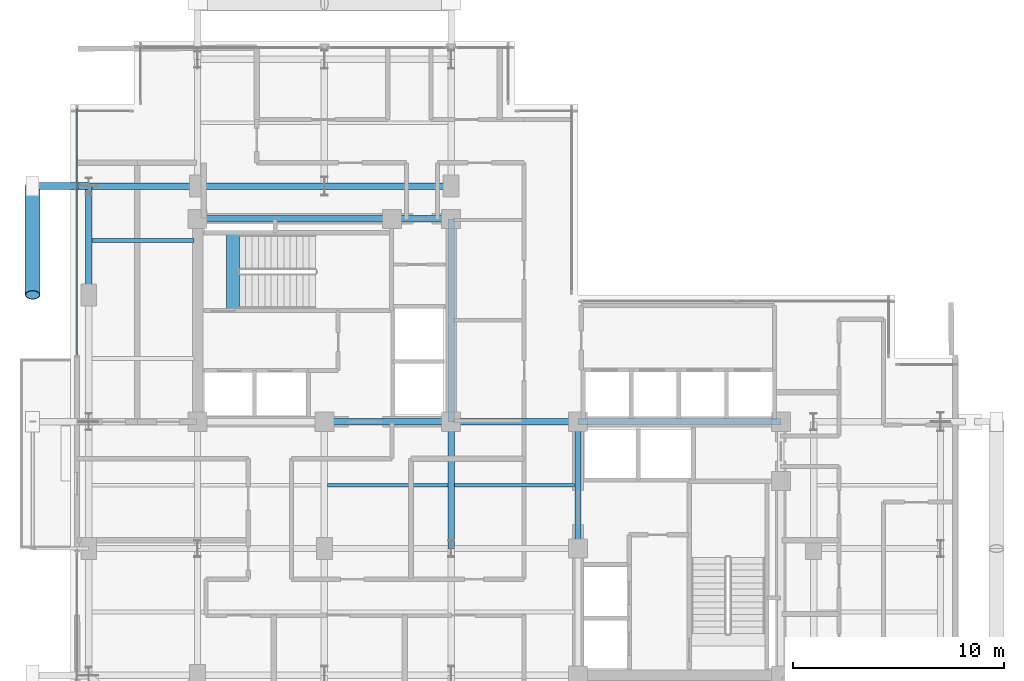
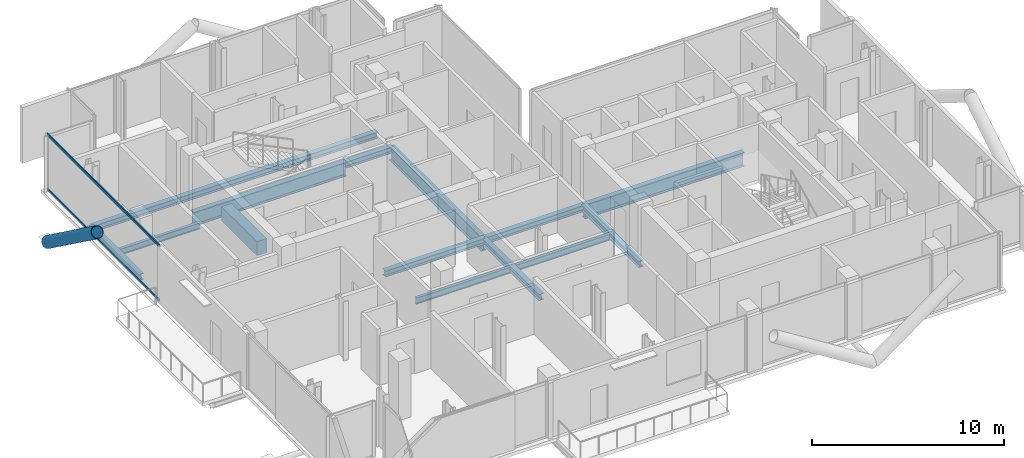
# One storey, part 8 of 21: 16 beams, 4 members, 1 element without a shape of its own.
"""IFC4 building model written with IfcOpenShell, lengths in metres."""

from ifc_helpers import new_model, si_unit, direction, frame, origin, origin_2d, place, context, subcontext, project, spatial, rectangle, hollow_rectangle, hollow_circle, i_section, extrude, material, layer, layer_set, material_profile, profile_set, type_object, element, aggregate, save


model = new_model("IFC4")

# Units and contexts
model_context = context("Model", 3, precision=1e-05, world=origin(), true_north=direction((0.0, 1.0)))
body_context = subcontext(model_context, "Body", "Model", "MODEL_VIEW")
ifc_project = project(units=[si_unit("LENGTHUNIT", "METRE"), si_unit("AREAUNIT", "SQUARE_METRE"), si_unit("VOLUMEUNIT", "CUBIC_METRE"), si_unit("PLANEANGLEUNIT", "RADIAN"), si_unit("MASSUNIT", "GRAM", prefix="KILO"), si_unit("THERMODYNAMICTEMPERATUREUNIT", "KELVIN"), si_unit("POWERUNIT", "WATT")], contexts=[model_context])

# Site, building, storey
site_placement = place(None, origin())
site = spatial("IfcSite", under=ifc_project, at=site_placement, CompositionType="ELEMENT")
building_placement = place(site_placement, origin())
building = spatial("IfcBuilding", under=site, at=building_placement, Name="Svarakhadi Broadcast Tower", CompositionType="ELEMENT")
storey_placement = place(building_placement, frame((0.0, 0.0, 187.949951171875)))
storey = spatial("IfcBuildingStorey", under=building, at=storey_placement, Name="L46", CompositionType="ELEMENT", Elevation=187.949951171875)

# Beams
ifc_material_1 = material(Name="Steel S355J2 (IS 2062 E350C)", Category="steel")
ifc_material_profile_1 = material_profile(ifc_material_1, i_section(OverallWidth=0.179931640625, OverallDepth=0.39990234375, WebThickness=0.008544921875, FlangeThickness=0.013427734375, FilletRadius=0.02099609375, at=origin_2d()), Name="NPB 400x180x66")
ifc_profile_set_1 = profile_set([ifc_material_profile_1], Name="Steel S355J2 (IS 2062 E350C)")
beam_type_1 = type_object("IfcBeamType", Name="Beam_NPB400", PredefinedType="BEAM", material=ifc_profile_set_1)
beam_1_placement = place(storey_placement, frame((1.010009765625, 26.574951171875, -0.409912109375), z_axis=(1.0, 0.0, 0.0), x_axis=(0.0, 1.0, 0.0)))
element("IfcBeam", 1, at=beam_1_placement, inside=storey, type_object=beam_type_1, Name="L46 Secondary Composite Beam SB004", PredefinedType="BEAM", context=body_context, shape_type="SweptSolid", body=[
    extrude(i_section(OverallWidth=0.179931640625, OverallDepth=0.39990234375, WebThickness=0.008544921875, FlangeThickness=0.013427734375, FilletRadius=0.02099609375, at=origin_2d()), origin(), (0.0, 0.0, 1.0), 4.830078125),
])
for number, where, z_axis, x_axis, name in (
    (2, (12.159912109375, 15.0, -0.409912109375), (1.0, 0.0, 0.0), (0.0, 1.0, 0.0), "L46 Secondary Composite Beam SB011"),
    (3, (18.159912109375, 15.0, -0.409912109375), (1.0, 0.0, 0.0), (0.0, 1.0, 0.0), "L46 Secondary Composite Beam SB015"),
):
    element("IfcBeam", number, at=place(storey_placement, frame(where, z_axis=z_axis, x_axis=x_axis)), inside=storey, type_object=beam_type_1, Name=name, PredefinedType="BEAM", context=body_context, shape_type="SweptSolid", body=[
        extrude(i_section(OverallWidth=0.179931640625, OverallDepth=0.39990234375, WebThickness=0.008544921875, FlangeThickness=0.013427734375, FilletRadius=0.02099609375, at=origin_2d()), origin(), (0.0, 0.0, 1.0), 5.68017578125),
    ])

# Curtain wall, members
ifc_material_2 = material(Name="Anodised Bronze Aluminium AA 6063-T6", Category="aluminium")
ifc_layer = layer(ifc_material_2, 0.18994140625)
ifc_layer_set = layer_set([ifc_layer], Name="Anodised Bronze Aluminium AA 6063-T6")
curtain_wall_type = type_object("IfcCurtainWallType", Name="CW_Sys_04", PredefinedType="NOTDEFINED", material=ifc_layer_set)
curtain_wall_placement = place(storey_placement, origin())
curtain_wall = element("IfcCurtainWall", 4, at=curtain_wall_placement, inside=storey, type_object=curtain_wall_type, Name="L46 West Curtain Wall 03", PredefinedType="NOTDEFINED")
ifc_material_profile_2 = material_profile(ifc_material_2, hollow_rectangle(XDim=0.06494140625, YDim=0.175048828125, WallThickness=0.0048828125, at=origin_2d()), Name="ALU TRANSOM 175x65x5")
ifc_profile_set_2 = profile_set([ifc_material_profile_2], Name="Anodised Bronze Aluminium AA 6063-T6")
member_type_1 = type_object("IfcMemberType", Name="CW_Sys_04_Trn", PredefinedType="USERDEFINED", material=ifc_profile_set_2)
member_1_placement = place(storey_placement, frame((0.300048828125, 21.159912109375, 0.032470703125), z_axis=(0.0, 1.0, 0.0), x_axis=(-1.0, 0.0, 0.0)))
member_1 = element("IfcMember", 5, at=member_1_placement, type_object=member_type_1, Name="CW-04 transom 1.1", ObjectType="TRANSOM", PredefinedType="USERDEFINED", context=body_context, shape_type="SweptSolid", body=[
    extrude(hollow_rectangle(XDim=0.06494140625, YDim=0.175048828125, WallThickness=0.0048828125, at=origin_2d()), origin(), (0.0, 0.0, 1.0), 11.68017578125),
])
member_2_placement = place(storey_placement, frame((0.300048828125, 21.159912109375, 3.507568359375), z_axis=(0.0, 1.0, 0.0), x_axis=(-1.0, 0.0, 0.0)))
member_2 = element("IfcMember", 6, at=member_2_placement, type_object=member_type_1, Name="CW-04 transom 1.2", ObjectType="TRANSOM", PredefinedType="USERDEFINED", context=body_context, shape_type="SweptSolid", body=[
    extrude(hollow_rectangle(XDim=0.06494140625, YDim=0.175048828125, WallThickness=0.0048828125, at=origin_2d()), origin(), (0.0, 0.0, 1.0), 11.68017578125),
])
aggregate(curtain_wall, [member_1, member_2])

# Beam
ifc_material_3 = material(Name="Concrete C50/60 (IS 456 M60)", Category="concrete")
ifc_material_profile_3 = material_profile(ifc_material_3, rectangle(XDim=0.60009765625, YDim=0.89990234375, at=origin_2d()), Name="RC 600x900")
ifc_profile_set_3 = profile_set([ifc_material_profile_3], Name="Concrete C50/60 (IS 456 M60)")
beam_type_2 = type_object("IfcBeamType", Name="Coupling_RC600", PredefinedType="USERDEFINED", material=ifc_profile_set_3)
beam_2_placement = place(storey_placement, frame((7.679931640625, 23.260009765625, -0.449951171875), z_axis=(0.0, 1.0, 0.0), x_axis=(-1.0, 0.0, 0.0)))
element("IfcBeam", 7, at=beam_2_placement, inside=storey, type_object=beam_type_2, Name="L46 Stair ST-01 Landing Throat Trimmer Beam CB-01", ObjectType="GIRDER", PredefinedType="USERDEFINED", context=body_context, shape_type="SweptSolid", body=[
    extrude(rectangle(XDim=0.60009765625, YDim=0.89990234375, at=origin_2d()), origin(), (0.0, 0.0, 1.0), 3.679931640625),
])

# Members
ifc_material_4 = material(Name="Steel S460ML (IS 2062 E450BR)", Category="steel")
ifc_material_profile_4 = material_profile(ifc_material_4, hollow_circle(Radius=0.35546875, WallThickness=0.034912109375, at=origin_2d()), Name="CHS 711x35")
ifc_profile_set_4 = profile_set([ifc_material_profile_4], Name="Steel S460ML (IS 2062 E450BR)")
member_type_2 = type_object("IfcMemberType", Name="Exo_Brace_CHS711", PredefinedType="BRACE", material=ifc_profile_set_4)
member_3_placement = place(storey_placement, frame((-1.800048828125, 29.14990234375, -0.371826171875), z_axis=(0.0, -0.808391243061, 0.588645562407), x_axis=(1.0, 0.0, 0.0)))
element("IfcMember", 8, at=member_3_placement, inside=storey, type_object=member_type_2, Name="L46 Exposed Bronze Exoskeleton Diagonal W03", PredefinedType="BRACE", context=body_context, shape_type="SweptSolid", body=[
    extrude(hollow_circle(Radius=0.35546875, WallThickness=0.034912109375, at=origin_2d()), origin(), (0.0, 0.0, 1.0), 6.37060546875),
])
ifc_material_profile_5 = material_profile(ifc_material_4, hollow_circle(Radius=0.161865234375, WallThickness=0.01611328125, at=origin_2d()), Name="CHS 323.9x16")
ifc_profile_set_5 = profile_set([ifc_material_profile_5], Name="Steel S460ML (IS 2062 E450BR)")
member_type_3 = type_object("IfcMemberType", Name="Exo_Radial_Strut_Z2", PredefinedType="STRUT", material=ifc_profile_set_5)
member_4_placement = place(storey_placement, frame((-1.800048828125, 29.14990234375, -0.371826171875), z_axis=(1.0, 0.0, 0.0), x_axis=(0.0, 1.0, 0.0)))
element("IfcMember", 9, at=member_4_placement, inside=storey, type_object=member_type_3, Name="L46 Exoskeleton Radial Tie Strut W06", PredefinedType="STRUT", context=body_context, shape_type="SweptSolid", body=[
    extrude(hollow_circle(Radius=0.161865234375, WallThickness=0.01611328125, at=origin_2d()), origin(), (0.0, 0.0, 1.0), 2.650146484375),
])

# Beams
ifc_material_profile_6 = material_profile(ifc_material_1, i_section(OverallWidth=0.300048828125, OverallDepth=0.39990234375, WebThickness=0.013427734375, FlangeThickness=0.02392578125, FilletRadius=0.027099609375, at=origin_2d()), Name="WPB 400x300x155")
ifc_profile_set_6 = profile_set([ifc_material_profile_6], Name="Steel S355J2 (IS 2062 E350C)")
beam_type_3 = type_object("IfcBeamType", Name="Girder_WPB400", PredefinedType="USERDEFINED", material=ifc_profile_set_6)
for number, where, z_axis, x_axis, name in (
    (10, (12.0, 18.0, -0.409912109375), (1.0, 0.0, 0.0), (0.0, 1.0, 0.0), "L46 Primary E-W Girder G022"),
    (11, (18.0, 18.0, -0.409912109375), (1.0, 0.0, 0.0), (0.0, 1.0, 0.0), "L46 Primary E-W Girder G023"),
):
    element("IfcBeam", number, at=place(storey_placement, frame(where, z_axis=z_axis, x_axis=x_axis)), inside=storey, type_object=beam_type_3, Name=name, ObjectType="GIRDER", PredefinedType="USERDEFINED", context=body_context, shape_type="SweptSolid", body=[
        extrude(i_section(OverallWidth=0.300048828125, OverallDepth=0.39990234375, WebThickness=0.013427734375, FlangeThickness=0.02392578125, FilletRadius=0.027099609375, at=origin_2d()), origin(), (0.0, 0.0, 1.0), 6.0),
    ])
beam_3_placement = place(storey_placement, frame((15.199951171875, 27.60009765625, -0.409912109375), z_axis=(1.0, 0.0, 0.0), x_axis=(0.0, 1.0, 0.0)))
element("IfcBeam", 12, at=beam_3_placement, inside=storey, type_object=beam_type_3, Name="L46 Primary E-W Girder G027", ObjectType="GIRDER", PredefinedType="USERDEFINED", context=body_context, shape_type="SweptSolid", body=[
    extrude(i_section(OverallWidth=0.300048828125, OverallDepth=0.39990234375, WebThickness=0.013427734375, FlangeThickness=0.02392578125, FilletRadius=0.027099609375, at=origin_2d()), origin(), (0.0, 0.0, 1.0), 2.800048828125),
])
beam_4_placement = place(storey_placement, frame((0.85009765625, 29.14990234375, -0.409912109375), z_axis=(1.0, 0.0, 0.0), x_axis=(0.0, 1.0, 0.0)))
element("IfcBeam", 13, at=beam_4_placement, inside=storey, type_object=beam_type_3, Name="L46 Primary E-W Girder G028", ObjectType="GIRDER", PredefinedType="USERDEFINED", context=body_context, shape_type="SweptSolid", body=[
    extrude(i_section(OverallWidth=0.300048828125, OverallDepth=0.39990234375, WebThickness=0.013427734375, FlangeThickness=0.02392578125, FilletRadius=0.027099609375, at=origin_2d()), origin(), (0.0, 0.0, 1.0), 5.14990234375),
])
for number, where, z_axis, x_axis, name in (
    (14, (6.0, 29.14990234375, -0.409912109375), (1.0, 0.0, 0.0), (0.0, 1.0, 0.0), "L46 Primary E-W Girder G029"),
    (15, (12.0, 29.14990234375, -0.409912109375), (1.0, 0.0, 0.0), (0.0, 1.0, 0.0), "L46 Primary E-W Girder G030"),
):
    element("IfcBeam", number, at=place(storey_placement, frame(where, z_axis=z_axis, x_axis=x_axis)), inside=storey, type_object=beam_type_3, Name=name, ObjectType="GIRDER", PredefinedType="USERDEFINED", context=body_context, shape_type="SweptSolid", body=[
        extrude(i_section(OverallWidth=0.300048828125, OverallDepth=0.39990234375, WebThickness=0.013427734375, FlangeThickness=0.02392578125, FilletRadius=0.027099609375, at=origin_2d()), origin(), (0.0, 0.0, 1.0), 6.0),
    ])
beam_5_placement = place(storey_placement, frame((0.85009765625, 24.0, -0.409912109375), z_axis=(0.0, 1.0, 0.0), x_axis=(-1.0, 0.0, 0.0)))
element("IfcBeam", 16, at=beam_5_placement, inside=storey, type_object=beam_type_3, Name="L46 Primary N-S Girder G036", ObjectType="GIRDER", PredefinedType="USERDEFINED", context=body_context, shape_type="SweptSolid", body=[
    extrude(i_section(OverallWidth=0.300048828125, OverallDepth=0.39990234375, WebThickness=0.013427734375, FlangeThickness=0.02392578125, FilletRadius=0.027099609375, at=origin_2d()), origin(), (0.0, 0.0, 1.0), 5.14990234375),
])
for number, where, z_axis, x_axis, name in (
    (17, (18.0, 12.0, -0.409912109375), (0.0, 1.0, 0.0), (-1.0, 0.0, 0.0), "L46 Primary N-S Girder G048"),
    (18, (24.0, 12.0, -0.409912109375), (0.0, 1.0, 0.0), (-1.0, 0.0, 0.0), "L46 Primary N-S Girder G053"),
):
    element("IfcBeam", number, at=place(storey_placement, frame(where, z_axis=z_axis, x_axis=x_axis)), inside=storey, type_object=beam_type_3, Name=name, ObjectType="GIRDER", PredefinedType="USERDEFINED", context=body_context, shape_type="SweptSolid", body=[
        extrude(i_section(OverallWidth=0.300048828125, OverallDepth=0.39990234375, WebThickness=0.013427734375, FlangeThickness=0.02392578125, FilletRadius=0.027099609375, at=origin_2d()), origin(), (0.0, 0.0, 1.0), 6.0),
    ])
ifc_material_profile_7 = material_profile(ifc_material_4, i_section(OverallWidth=0.300048828125, OverallDepth=0.89990234375, WebThickness=0.0185546875, FlangeThickness=0.034912109375, FilletRadius=0.030029296875, at=origin_2d()), Name="WPB 900x300x291")
ifc_profile_set_7 = profile_set([ifc_material_profile_7], Name="Steel S460ML (IS 2062 E450BR)")
beam_type_4 = type_object("IfcBeamType", Name="Girder_WPB900", PredefinedType="USERDEFINED", material=ifc_profile_set_7)
beam_6_placement = place(storey_placement, frame((24.0, 18.0, -0.659912109375), z_axis=(1.0, 0.0, 0.0), x_axis=(0.0, 1.0, 0.0)))
element("IfcBeam", 19, at=beam_6_placement, inside=storey, type_object=beam_type_4, Name="L46 Primary E-W Girder G024", ObjectType="GIRDER", PredefinedType="USERDEFINED", context=body_context, shape_type="SweptSolid", body=[
    extrude(i_section(OverallWidth=0.300048828125, OverallDepth=0.89990234375, WebThickness=0.0185546875, FlangeThickness=0.034912109375, FilletRadius=0.030029296875, at=origin_2d()), origin(), (0.0, 0.0, 1.0), 9.60009765625),
])
beam_7_placement = place(storey_placement, frame((6.0, 27.60009765625, -0.659912109375), z_axis=(1.0, 0.0, 0.0), x_axis=(0.0, 1.0, 0.0)))
element("IfcBeam", 20, at=beam_7_placement, inside=storey, type_object=beam_type_4, Name="L46 Primary E-W Girder G026", ObjectType="GIRDER", PredefinedType="USERDEFINED", context=body_context, shape_type="SweptSolid", body=[
    extrude(i_section(OverallWidth=0.300048828125, OverallDepth=0.89990234375, WebThickness=0.0185546875, FlangeThickness=0.034912109375, FilletRadius=0.030029296875, at=origin_2d()), origin(), (0.0, 0.0, 1.0), 9.199951171875),
])
beam_8_placement = place(storey_placement, frame((18.0, 18.0, -0.659912109375), z_axis=(0.0, 1.0, 0.0), x_axis=(-1.0, 0.0, 0.0)))
element("IfcBeam", 21, at=beam_8_placement, inside=storey, type_object=beam_type_4, Name="L46 Primary N-S Girder G049", ObjectType="GIRDER", PredefinedType="USERDEFINED", context=body_context, shape_type="SweptSolid", body=[
    extrude(i_section(OverallWidth=0.300048828125, OverallDepth=0.89990234375, WebThickness=0.0185546875, FlangeThickness=0.034912109375, FilletRadius=0.030029296875, at=origin_2d()), origin(), (0.0, 0.0, 1.0), 9.60009765625),
])

save(model, "model.ifc")
